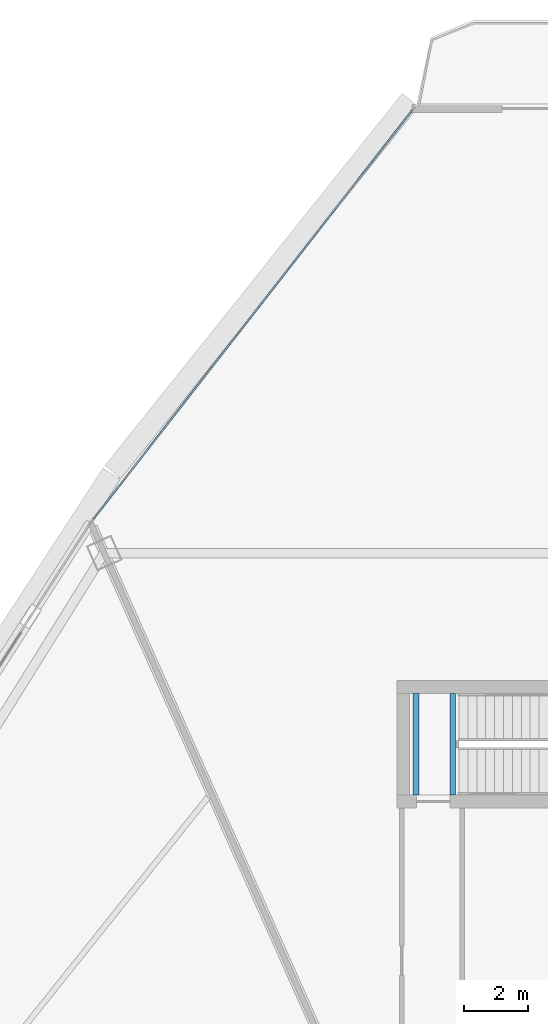
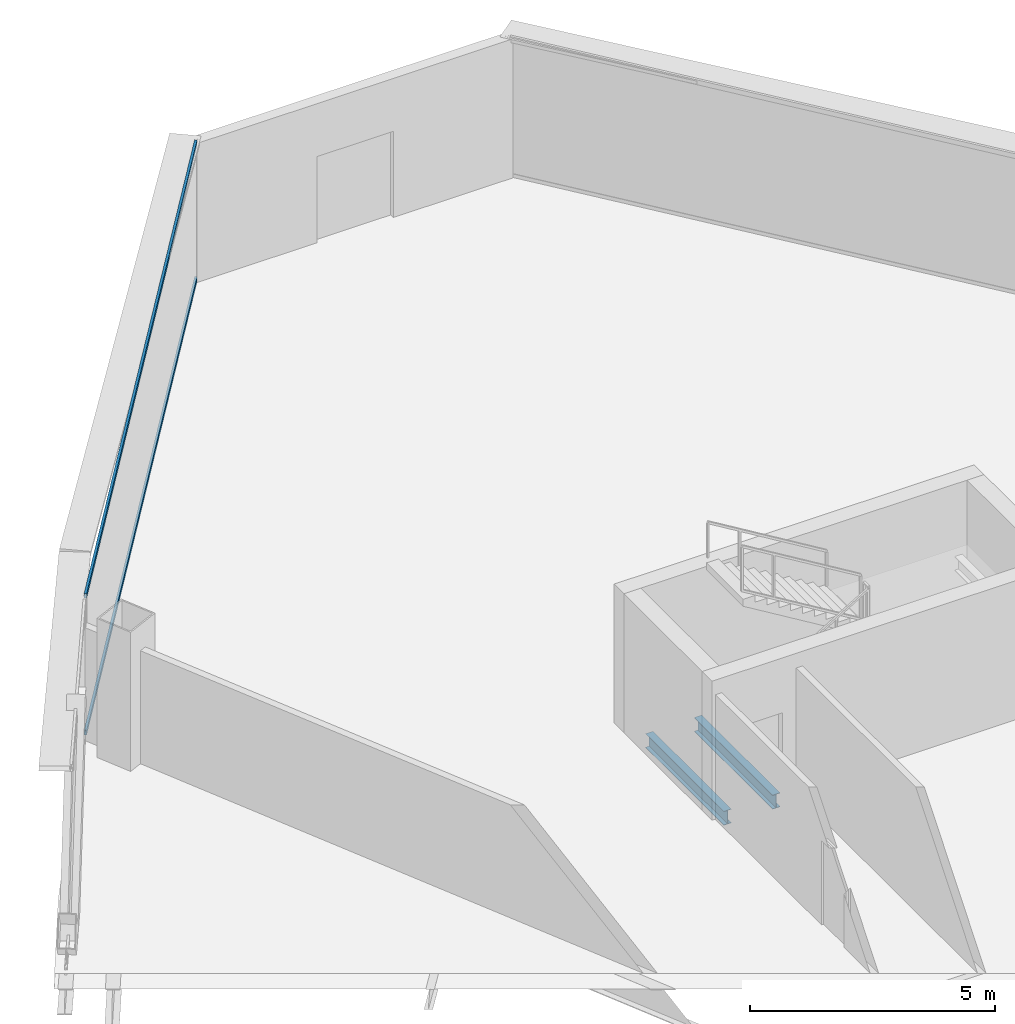
# One storey, part 19 of 36: 2 beams, 2 members, 1 element without a shape of its own.
"""IFC4 building model written with IfcOpenShell, lengths in metres."""

from ifc_helpers import new_model, si_unit, direction, frame, origin, origin_2d, place, context, subcontext, project, spatial, hollow_rectangle, i_section, extrude, source, transform, mapped, material, layer, layer_set, material_profile, profile_set, type_object, element, aggregate, save


model = new_model("IFC4")

# Units and contexts
model_context = context("Model", 3, precision=1e-05, world=origin(), true_north=direction((0.0, 1.0)))
body_context = subcontext(model_context, "Body", "Model", "MODEL_VIEW")
ifc_project = project(units=[si_unit("LENGTHUNIT", "METRE"), si_unit("AREAUNIT", "SQUARE_METRE"), si_unit("VOLUMEUNIT", "CUBIC_METRE"), si_unit("PLANEANGLEUNIT", "RADIAN"), si_unit("MASSUNIT", "GRAM", prefix="KILO"), si_unit("THERMODYNAMICTEMPERATUREUNIT", "KELVIN"), si_unit("POWERUNIT", "WATT")], contexts=[model_context])

# Site, building, storey
site_placement = place(None, origin())
site = spatial("IfcSite", under=ifc_project, at=site_placement, CompositionType="ELEMENT")
building_placement = place(site_placement, origin())
building = spatial("IfcBuilding", under=site, at=building_placement, Name="Yunzhuo Pagoda Commons", CompositionType="ELEMENT")
storey_placement = place(building_placement, frame((0.0, 0.0, 263.179931640625)))
storey = spatial("IfcBuildingStorey", under=building, at=storey_placement, Name="L66", CompositionType="ELEMENT", Elevation=263.179931640625)

# Beams
ifc_material_1 = material(Name="Structural steel Q355B", Category="steel")
ifc_material_profile_1 = material_profile(ifc_material_1, i_section(OverallWidth=0.175048828125, OverallDepth=0.35009765625, WebThickness=0.007080078125, FlangeThickness=0.010986328125, at=origin_2d()), Name="Structural steel Q355B")
ifc_profile_set_1 = profile_set([ifc_material_profile_1], Name="Structural steel Q355B")
beam_type = type_object("IfcBeamType", Name="B-JS2 Joist HN 350x175x7x11", PredefinedType="JOIST", material=ifc_profile_set_1)
shared_shape_1 = source(origin(), body_context, "Body", "SweptSolid", [
    extrude(i_section(OverallWidth=0.175048828125, OverallDepth=0.35009765625, WebThickness=0.007080078125, FlangeThickness=0.010986328125, at=origin_2d()), origin(), (0.0, 0.0, 1.0), 3.199951171875),
])
for number, where, z_axis, x_axis, name in (
    (1, (44.39990234375, 56.199951171875, -0.375), (0.0, 1.0, 0.0), (-1.0, 0.0, 0.0), "L66 ST3 landing support beam 140A"),
    (2, (45.550048828125, 56.199951171875, -0.375), (0.0, 1.0, 0.0), (-1.0, 0.0, 0.0), "L66 ST3 landing support beam 140B"),
):
    element("IfcBeam", number, at=place(storey_placement, frame(where, z_axis=z_axis, x_axis=x_axis)), inside=storey, type_object=beam_type, Name=name, PredefinedType="JOIST", context=body_context, shape_type="MappedRepresentation", body=[
        mapped(shared_shape_1, transform((0.0, 0.0, 0.0), scale=1.0)),
    ])

# Curtain wall, members
ifc_material_2 = material(Name="Anodized aluminium 6063-T6", Category="aluminium")
ifc_layer = layer(ifc_material_2, 0.139892578125)
ifc_layer_set = layer_set([ifc_layer], Name="Anodized aluminium 6063-T6")
curtain_wall_type = type_object("IfcCurtainWallType", Name="CW-HI High-Zone Ribbon Curtain Wall", PredefinedType="NOTDEFINED", material=ifc_layer_set)
curtain_wall_placement = place(storey_placement, origin())
curtain_wall = element("IfcCurtainWall", 3, at=curtain_wall_placement, inside=storey, type_object=curtain_wall_type, Name="L66 curtain wall CW-L66-F3B1", PredefinedType="NOTDEFINED")
ifc_material_profile_2 = material_profile(ifc_material_2, hollow_rectangle(XDim=0.054931640625, YDim=0.1201171875, WallThickness=0.00341796875, at=origin_2d()), Name="Anodized aluminium 6063-T6")
ifc_profile_set_2 = profile_set([ifc_material_profile_2], Name="Anodized aluminium 6063-T6")
member_type = type_object("IfcMemberType", Name="CW-HI-T Transom RHS 120x55x3.5", PredefinedType="USERDEFINED", material=ifc_profile_set_2)
shared_shape_2 = source(origin(), body_context, "Body", "SweptSolid", [
    extrude(hollow_rectangle(XDim=0.054931640625, YDim=0.1201171875, WallThickness=0.00341796875, at=origin_2d()), origin(), (0.0, 0.0, 1.0), 16.322998046875),
])
member_1_placement = place(storey_placement, frame((44.288818359375, 77.747802734375, 0.02783203125), z_axis=(-0.615057278279, -0.788482431279, 0.0), x_axis=(0.788482431279, -0.615057278279, 0.0)))
member_1 = element("IfcMember", 4, at=member_1_placement, type_object=member_type, Name="CW transom 1.1", ObjectType="TRANSOM", PredefinedType="USERDEFINED", context=body_context, shape_type="MappedRepresentation", body=[
    mapped(shared_shape_2, transform((0.0, 0.0, 0.0), scale=1.0)),
])
member_2_placement = place(storey_placement, frame((44.288818359375, 77.747802734375, 3.442626953125), z_axis=(-0.615057278279, -0.788482431279, 0.0), x_axis=(0.788482431279, -0.615057278279, 0.0)))
member_2 = element("IfcMember", 5, at=member_2_placement, type_object=member_type, Name="CW transom 1.2", ObjectType="TRANSOM", PredefinedType="USERDEFINED", context=body_context, shape_type="MappedRepresentation", body=[
    mapped(shared_shape_2, transform((0.0, 0.0, 0.0), scale=1.0)),
])
aggregate(curtain_wall, [member_1, member_2])

save(model, "model.ifc")
